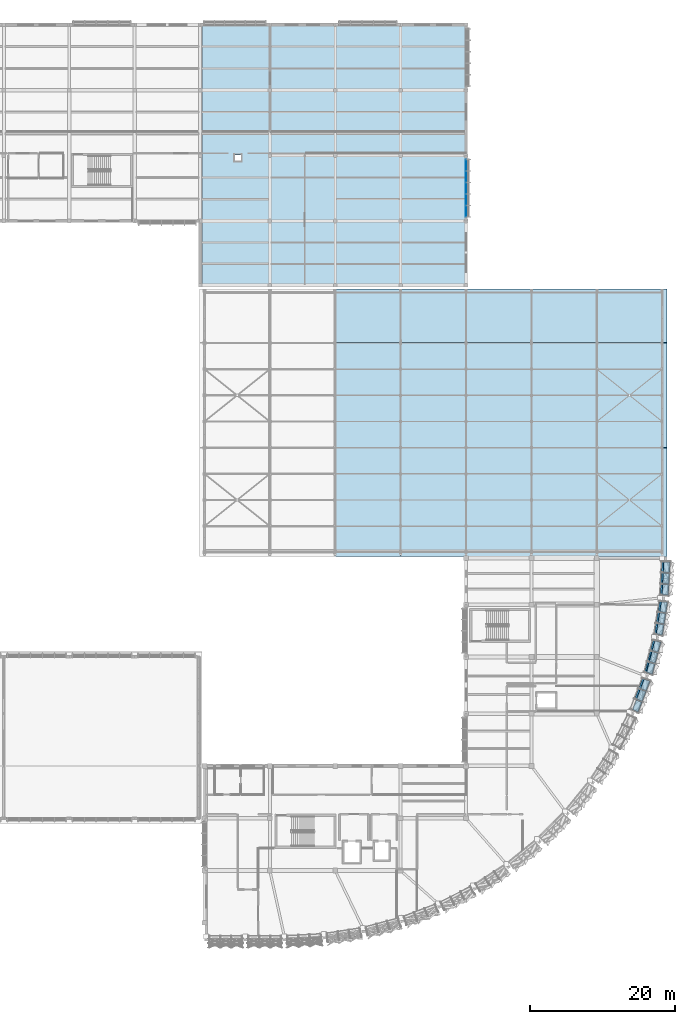
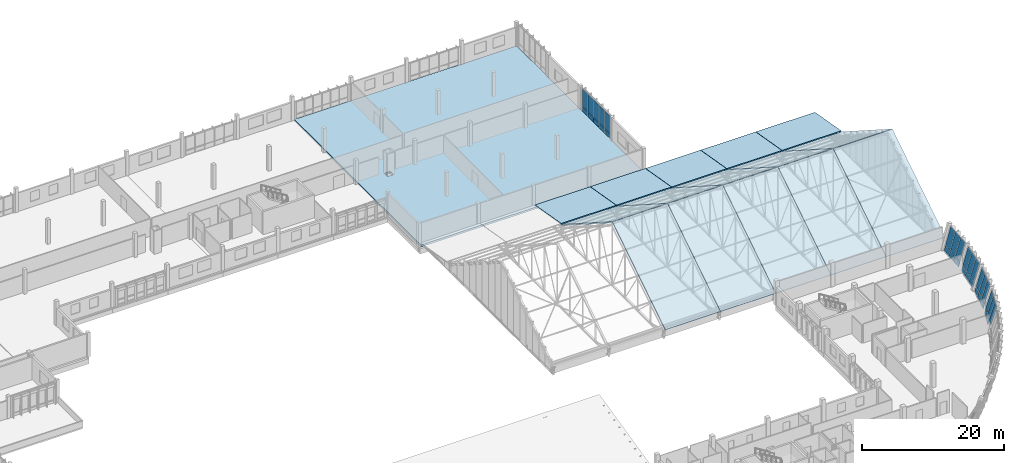
# One storey, part 154 of 182: 33 plates, 16 slabs, 5 elements without a shape of their own.
"""IFC4 building model written with IfcOpenShell, lengths in metres."""

import ifcopenshell
import ifcopenshell.guid

model = None  # the IFC model being written
_history = None  # IfcOwnerHistory: only IFC2X3 demands one
_inside = {}  # id of a spatial element -> (the spatial element, [elements in it])
_under = {}  # id of a project, library or spatial element -> (it, [spatial elements below it])
_declared = {}  # id of a project -> (the project, [libraries it declares])
_typed = {}  # id of a type object -> (the type object, [elements of that type])
_made_of = {}  # id of a material, layer set ... -> (it, [elements and type objects made of it])


def new_model(schema):
    """Start an empty IFC model of exactly this schema.

    Asked for "IFC4X3", IfcOpenShell would pick the latest addendum, in which some entities
    have other attributes; the version numbers below select the first issue.
    IFC2X3 requires an IfcOwnerHistory on every rooted entity: one is made here for all.
    """
    global model, _history
    if schema == "IFC4X3":
        model = ifcopenshell.file(schema_version=(4, 3, 0, 0))
    else:
        model = ifcopenshell.file(schema=schema)
    _inside.clear()
    _under.clear()
    _declared.clear()
    _typed.clear()
    _made_of.clear()
    _history = None
    if model.schema == "IFC2X3":
        org = make("IfcOrganization", Name="unknown")
        user = make(
            "IfcPersonAndOrganization",
            ThePerson=make("IfcPerson", FamilyName="unknown"),
            TheOrganization=org,
        )
        app = make(
            "IfcApplication",
            ApplicationDeveloper=org,
            Version="unknown",
            ApplicationFullName="unknown",
            ApplicationIdentifier="unknown",
        )
        _history = make(
            "IfcOwnerHistory",
            OwningUser=user,
            OwningApplication=app,
            ChangeAction="ADDED",
            CreationDate=0,
        )
    return model


def make(cls, **values):
    """One entity of the class cls with the attributes given. An attribute that is None is left unset."""
    return model.create_entity(
        cls, **{name: value for name, value in values.items() if value is not None}
    )


def rooted(cls, **values):
    """An entity with a GlobalId (a new one), such as an element, a storey or a relation."""
    return make(cls, GlobalId=ifcopenshell.guid.new(), OwnerHistory=_history, **values)


def si_unit(unit_type, name, prefix=None):
    """IfcSIUnit, for example si_unit("LENGTHUNIT", "METRE", prefix="MILLI")."""
    return make("IfcSIUnit", UnitType=unit_type, Prefix=prefix, Name=name)


def assignment(units):
    """IfcUnitAssignment: the units of a project."""
    return None if units is None else make("IfcUnitAssignment", Units=units)


def point(xyz):
    """IfcCartesianPoint."""
    return None if xyz is None else make("IfcCartesianPoint", Coordinates=xyz)


def direction(xyz):
    """IfcDirection."""
    return None if xyz is None else make("IfcDirection", DirectionRatios=xyz)


def frame(location, z_axis=None, x_axis=None):
    """IfcAxis2Placement3D, a coordinate frame: its origin and axes. An axis left out is left unset."""
    return make(
        "IfcAxis2Placement3D",
        Location=point(location),
        Axis=direction(z_axis),
        RefDirection=direction(x_axis),
    )


def frame_2d(location, x_axis=None):
    """IfcAxis2Placement2D, a coordinate frame in the plane: its origin and x axis."""
    return make(
        "IfcAxis2Placement2D", Location=point(location), RefDirection=direction(x_axis)
    )


def origin():
    """The frame at (0, 0, 0) with its axes left unset."""
    return frame((0.0, 0.0, 0.0))


def origin_2d():
    """The frame at (0, 0) in the plane with its x axis left unset."""
    return frame_2d((0.0, 0.0))


def place(relative_to, where):
    """IfcLocalPlacement: puts the frame where relative to a parent placement (None: the world)."""
    return make(
        "IfcLocalPlacement", PlacementRelTo=relative_to, RelativePlacement=where
    )


def context(
    kind, dimensions, precision=None, world=None, true_north=None, identifier=None
):
    """IfcGeometricRepresentationContext, for example the 3D "Model" context."""
    return make(
        "IfcGeometricRepresentationContext",
        ContextIdentifier=identifier,
        ContextType=kind,
        CoordinateSpaceDimension=dimensions,
        Precision=precision,
        WorldCoordinateSystem=world,
        TrueNorth=true_north,
    )


def subcontext(parent, identifier, kind, view, scale=None):
    """IfcGeometricRepresentationSubContext, for example "Body" below "Model"."""
    return make(
        "IfcGeometricRepresentationSubContext",
        ContextIdentifier=identifier,
        ContextType=kind,
        ParentContext=parent,
        TargetScale=scale,
        TargetView=view,
    )


def project(units=None, contexts=None):
    """IfcProject with its units and contexts."""
    return rooted(
        "IfcProject",
        Name="project",
        RepresentationContexts=contexts,
        UnitsInContext=assignment(units),
    )


def spatial(cls, under=None, at=None, **own):
    """A site, building, storey or space (cls), placed at a placement, below another one or the project."""
    s = rooted(cls, ObjectPlacement=at, **own)
    if under is not None:
        _under.setdefault(under.id(), (under, []))[1].append(s)
    return s


def polyline(points):
    """IfcPolyline through the points."""
    return make("IfcPolyline", Points=[point(p) for p in points])


def profile(cls, at=None, kind="AREA", **sizes):
    """A parametric profile (cls). Its sizes go by their IFC names, for example OverallWidth=200.0."""
    return make(cls, ProfileType=kind, Position=at, **sizes)


def rectangle(**sizes):
    """IfcRectangleProfileDef."""
    return profile("IfcRectangleProfileDef", **sizes)


def outline(outer, holes=None, kind="AREA"):
    """IfcArbitraryClosedProfileDef: a profile drawn as a closed curve; with holes, ...WithVoids."""
    if holes is None:
        return make("IfcArbitraryClosedProfileDef", ProfileType=kind, OuterCurve=outer)
    return make(
        "IfcArbitraryProfileDefWithVoids",
        ProfileType=kind,
        OuterCurve=outer,
        InnerCurves=holes,
    )


def extrude(swept, where, along, depth):
    """IfcExtrudedAreaSolid: the profile swept, set in the frame where, extruded along a direction by depth."""
    return make(
        "IfcExtrudedAreaSolid",
        SweptArea=swept,
        Position=where,
        ExtrudedDirection=direction(along),
        Depth=depth,
    )


def shape(context_of_items, identifier, shape_type, items):
    """IfcShapeRepresentation: the items that make up one representation, for example the "Body"."""
    return make(
        "IfcShapeRepresentation",
        ContextOfItems=context_of_items,
        RepresentationIdentifier=identifier,
        RepresentationType=shape_type,
        Items=items,
    )


def material(Name=None, Category=None):
    """IfcMaterial."""
    return make("IfcMaterial", Name=Name, Category=Category)


def layer(
    of_material, thickness, ventilated=None, Name=None, Category=None, Priority=None
):
    """IfcMaterialLayer: one layer of a wall or slab, of a material (None: an air gap)."""
    return make(
        "IfcMaterialLayer",
        Material=of_material,
        LayerThickness=thickness,
        IsVentilated=ventilated,
        Name=Name,
        Category=Category,
        Priority=Priority,
    )


def layer_set(layers, Name=None):
    """IfcMaterialLayerSet."""
    return make("IfcMaterialLayerSet", MaterialLayers=layers, LayerSetName=Name)


def made_of(thing, what):
    """Note that an element or type object is made of a material, layer set ...; save() writes the relation."""
    if what is not None:
        _made_of.setdefault(what.id(), (what, []))[1].append(thing)
    return thing


def type_object(cls, material=None, **own):
    """A type object (cls), such as IfcWallType, which elements share."""
    return made_of(rooted(cls, **own), material)


def element(
    cls,
    number,
    at=None,
    inside=None,
    cuts=None,
    type_object=None,
    material=None,
    context=None,
    identifier="Body",
    shape_type=None,
    held_by="IfcProductDefinitionShape",
    body=None,
    shapes=None,
    **own,
):
    """One element of the class cls, such as IfcWall. Its Tag is "e" and its number.

    at: its placement. inside: the storey or other place that contains it. cuts: it is an
    opening in that element (IfcRelVoidsElement). A single representation is given by context,
    identifier, shape_type and body (its items); several are given by shapes. held_by: the class
    of the entity that holds the representations. save() writes the other relations.
    """
    e = rooted(cls, Tag="e%d" % number, ObjectPlacement=at, **own)
    if body is not None:
        shapes = [shape(context, identifier, shape_type, body)]
    if shapes is not None:
        e.Representation = make(held_by, Representations=shapes)
    if inside is not None:
        _inside.setdefault(inside.id(), (inside, []))[1].append(e)
    if cuts is not None:
        rooted(
            "IfcRelVoidsElement", RelatingBuildingElement=cuts, RelatedOpeningElement=e
        )
    if type_object is not None:
        _typed.setdefault(type_object.id(), (type_object, []))[1].append(e)
    return made_of(e, material)


def aggregate(whole, parts):
    """IfcRelAggregates: a whole, such as a stair, and the parts it consists of."""
    return rooted("IfcRelAggregates", RelatingObject=whole, RelatedObjects=parts)


def save(model, path):
    """Write the relations noted so far, then the file.

    IfcRelAggregates (storeys below a building ...), IfcRelContainedInSpatialStructure (elements
    in a storey), IfcRelDefinesByType, IfcRelAssociatesMaterial and IfcRelDeclares: one each for
    every whole, place, type object, material and project.
    """
    for whole, parts in _under.values():
        aggregate(whole, parts)
    for where, things in _inside.values():
        rooted(
            "IfcRelContainedInSpatialStructure",
            RelatedElements=things,
            RelatingStructure=where,
        )
    for kind, things in _typed.values():
        rooted("IfcRelDefinesByType", RelatedObjects=things, RelatingType=kind)
    for what, things in _made_of.values():
        rooted("IfcRelAssociatesMaterial", RelatedObjects=things, RelatingMaterial=what)
    for by, libraries in _declared.values():
        rooted("IfcRelDeclares", RelatingContext=by, RelatedDefinitions=libraries)
    model.write(path)


model = new_model("IFC4")

# Units and contexts
model_context = context("Model", 3, precision=1e-05, world=origin(), true_north=direction((0.0, 1.0)))
body_context = subcontext(model_context, "Body", "Model", "MODEL_VIEW")
ifc_project = project(units=[si_unit("LENGTHUNIT", "METRE"), si_unit("AREAUNIT", "SQUARE_METRE"), si_unit("VOLUMEUNIT", "CUBIC_METRE"), si_unit("PLANEANGLEUNIT", "RADIAN"), si_unit("MASSUNIT", "GRAM", prefix="KILO")], contexts=[model_context])

# Site, building, storey
site_placement = place(None, origin())
site = spatial("IfcSite", under=ifc_project, at=site_placement, CompositionType="ELEMENT")
building_placement = place(site_placement, origin())
building = spatial("IfcBuilding", under=site, at=building_placement, Name="Chiffa Square Polytechnic", CompositionType="ELEMENT")
storey_placement = place(building_placement, frame((0.0, 0.0, 9.60009765625)))
storey = spatial("IfcBuildingStorey", under=building, at=storey_placement, Name="L02", CompositionType="ELEMENT", Elevation=9.60009765625)

# Curtain wall, plates
ifc_material_1 = material(Name="Aluminium EN AW-6060 T66 and glulam shading", Category="wood")
curtain_wall_type_1 = type_object("IfcCurtainWallType", Name="CW-PROW-LEAN-300", PredefinedType="USERDEFINED", material=ifc_material_1)
curtain_wall_1_placement = place(storey_placement, origin())
curtain_wall_1 = element("IfcCurtainWall", 1, at=curtain_wall_1_placement, inside=storey, type_object=curtain_wall_type_1, Name="Outward-leaning diamond-fin prow curtain wall CW-V1-L02-040", ObjectType="CURTAIN WALL", PredefinedType="USERDEFINED")
ifc_material_2 = material(Name="Double glazing", Category="glass")
ifc_layer_1 = layer(ifc_material_2, 0.035888671875, Name="Double glazing")
ifc_layer_set_1 = layer_set([ifc_layer_1], Name="Double glazing")
plate_type_1 = type_object("IfcPlateType", Name="CWP-GLZ-120X145", PredefinedType="CURTAIN_PANEL", material=ifc_layer_set_1)
plate_1_placement = place(storey_placement, frame((171.10498046875, 36.551513671875, 0.8779296875), z_axis=(-0.898409684419, 0.344776546164, 0.272009507476), x_axis=(0.358289619089, 0.933610490864, 1.4202129e-05)))
plate_1 = element("IfcPlate", 2, at=plate_1_placement, type_object=plate_type_1, Name="Leaning prow curtain panel CW-V1-L02-040-PN01", PredefinedType="CURTAIN_PANEL", context=body_context, shape_type="SweptSolid", body=[
    extrude(outline(polyline([(0.0, 0.0), (1.4259956492760706, 0.0), (1.4096857913431777, -3.1352871942841767), (-0.043969598361395315, -3.135329693927445), (0.0, 0.0)])), origin(), (0.0, 0.0, -1.0), 0.035888671875),
])
plate_2_placement = place(storey_placement, frame((171.655517578125, 37.986083984375, 0.8779296875), z_axis=(-0.898386562776, 0.344880574049, 0.271953991451), x_axis=(0.35839958804, 0.933568279992, 4.3425295e-05)))
plate_2 = element("IfcPlate", 3, at=plate_2_placement, type_object=plate_type_1, Name="Leaning prow curtain panel CW-V1-L02-040-PN02", PredefinedType="CURTAIN_PANEL", context=body_context, shape_type="SweptSolid", body=[
    extrude(outline(polyline([(0.0, 0.0), (1.4258552245780038, -2.7755575615628914e-17), (1.4399354245614526, -3.1351919010392213), (-0.01371994403332145, -3.1353218420798497), (0.0, 0.0)])), origin(), (0.0, 0.0, -1.0), 0.035888671875),
])
plate_3_placement = place(storey_placement, frame((172.206298828125, 39.42041015625, 0.8779296875), z_axis=(-0.898427749049, 0.344833750589, 0.271877296207), x_axis=(0.358331783037, 0.933594308714, 1.435371e-06)))
plate_3 = element("IfcPlate", 4, at=plate_3_placement, type_object=plate_type_1, Name="Leaning prow curtain panel CW-V1-L02-040-PN03", PredefinedType="CURTAIN_PANEL", context=body_context, shape_type="SweptSolid", body=[
    extrude(outline(polyline([(0.0, 0.0), (1.4259956511998872, -5.551115123125783e-17), (1.469948275416196, -3.135184079738381), (0.015977479163347057, -3.1351883753661887), (0.0, 0.0)])), origin(), (0.0, 0.0, -1.0), 0.035888671875),
])

curtain_wall_type_2 = type_object("IfcCurtainWallType", Name="CW-VERT-540X440", PredefinedType="USERDEFINED", material=ifc_material_1)
curtain_wall_2_placement = place(storey_placement, origin())
curtain_wall_2 = element("IfcCurtainWall", 5, at=curtain_wall_2_placement, inside=storey, type_object=curtain_wall_type_2, Name="Curtain wall CW-V5-L02-215", ObjectType="CURTAIN WALL", PredefinedType="USERDEFINED")
ifc_layer_2 = layer(ifc_material_2, 0.0419921875, Name="Double glazing")
ifc_layer_set_2 = layer_set([ifc_layer_2], Name="Double glazing")
plate_type_2 = type_object("IfcPlateType", Name="CWP-GLZ-136X122", PredefinedType="CURTAIN_PANEL", material=ifc_layer_set_2)
plate_4_placement = place(storey_placement, frame((148.199951171875, 105.14306640625, 0.83984375), z_axis=(0.0, 0.0, 1.0), x_axis=(0.0, 1.0, 0.0)))
plate_4 = element("IfcPlate", 6, at=plate_4_placement, type_object=plate_type_2, Name="Glazed curtain panel CW-V5-L02-215-PN01", PredefinedType="CURTAIN_PANEL", context=body_context, shape_type="SweptSolid", body=[
    extrude(rectangle(XDim=1.510009765625, YDim=0.0419921875, at=origin_2d()), origin(), (0.0, 0.0, 1.0), 3.050048828125),
])
plate_5_placement = place(storey_placement, frame((148.199951171875, 106.716064453125, 0.83984375), z_axis=(0.0, 0.0, 1.0), x_axis=(0.0, 1.0, 0.0)))
plate_5 = element("IfcPlate", 7, at=plate_5_placement, type_object=plate_type_2, Name="Glazed curtain panel CW-V5-L02-215-PN02", PredefinedType="CURTAIN_PANEL", context=body_context, shape_type="SweptSolid", body=[
    extrude(rectangle(XDim=1.531982421875, YDim=0.0419921875, at=origin_2d()), origin(), (0.0, 0.0, 1.0), 3.050048828125),
])
plate_6_placement = place(storey_placement, frame((148.199951171875, 108.300048828125, 0.83984375), z_axis=(0.0, 0.0, 1.0), x_axis=(0.0, 1.0, 0.0)))
plate_6 = element("IfcPlate", 8, at=plate_6_placement, type_object=plate_type_2, Name="Glazed curtain panel CW-V5-L02-215-PN03", PredefinedType="CURTAIN_PANEL", context=body_context, shape_type="SweptSolid", body=[
    extrude(rectangle(XDim=1.531982421875, YDim=0.0419921875, at=origin_2d()), origin(), (0.0, 0.0, 1.0), 3.050048828125),
])
plate_7_placement = place(storey_placement, frame((148.199951171875, 109.884033203125, 0.83984375), z_axis=(0.0, 0.0, 1.0), x_axis=(0.0, 1.0, 0.0)))
plate_7 = element("IfcPlate", 9, at=plate_7_placement, type_object=plate_type_2, Name="Glazed curtain panel CW-V5-L02-215-PN04", PredefinedType="CURTAIN_PANEL", context=body_context, shape_type="SweptSolid", body=[
    extrude(rectangle(XDim=1.531982421875, YDim=0.0419921875, at=origin_2d()), origin(), (0.0, 0.0, 1.0), 3.050048828125),
])
plate_8_placement = place(storey_placement, frame((148.199951171875, 111.45703125, 0.83984375), z_axis=(0.0, 0.0, 1.0), x_axis=(0.0, 1.0, 0.0)))
plate_8 = element("IfcPlate", 10, at=plate_8_placement, type_object=plate_type_2, Name="Glazed curtain panel CW-V5-L02-215-PN05", PredefinedType="CURTAIN_PANEL", context=body_context, shape_type="SweptSolid", body=[
    extrude(rectangle(XDim=1.510009765625, YDim=0.0419921875, at=origin_2d()), origin(), (0.0, 0.0, 1.0), 3.050048828125),
])

curtain_wall_type_3 = type_object("IfcCurtainWallType", Name="CW-PROW-LEAN-150", PredefinedType="USERDEFINED", material=ifc_material_1)
curtain_wall_3_placement = place(storey_placement, origin())
curtain_wall_3 = element("IfcCurtainWall", 11, at=curtain_wall_3_placement, inside=storey, type_object=curtain_wall_type_3, Name="Outward-leaning diamond-fin prow curtain wall CW-V1-L02-043", ObjectType="CURTAIN WALL", PredefinedType="USERDEFINED")
ifc_layer_3 = layer(ifc_material_2, 0.0380859375, Name="Double glazing")
ifc_layer_set_3 = layer_set([ifc_layer_3], Name="Double glazing")
plate_type_3 = type_object("IfcPlateType", Name="CWP-GLZ-146X138", PredefinedType="CURTAIN_PANEL", material=ifc_layer_set_3)
plate_9_placement = place(storey_placement, frame((175.18798828125, 52.373291015625, 0.8779296875), z_axis=(-0.960994525585, 0.050183547018, 0.271976347142), x_axis=(0.052155063173, 0.998638998327, 2.0160075e-05)))
plate_9 = element("IfcPlate", 12, at=plate_9_placement, type_object=plate_type_3, Name="Leaning prow curtain panel CW-V1-L02-043-PN01", PredefinedType="CURTAIN_PANEL", context=body_context, shape_type="SweptSolid", body=[
    extrude(outline(polyline([(0.0, 0.0), (1.4257739093040007, 0.0), (1.409245010066698, -3.1352479386726952), (-0.04414290854559953, -3.1353082565383597), (0.0, 0.0)])), origin(), (0.0, 0.0, -1.0), 0.0380859375),
])
plate_10_placement = place(storey_placement, frame((175.26806640625, 53.907470703125, 0.8779296875), z_axis=(-0.961003877433, 0.050179774548, 0.271943997515), x_axis=(0.052150972719, 0.998639211923, 2.1314999e-05)))
plate_10 = element("IfcPlate", 13, at=plate_10_placement, type_object=plate_type_3, Name="Leaning prow curtain panel CW-V1-L02-043-PN02", PredefinedType="CURTAIN_PANEL", context=body_context, shape_type="SweptSolid", body=[
    extrude(outline(polyline([(0.0, 0.0), (1.4257739088413242, 3.469446951953614e-18), (1.439553636586601, -3.135215789868901), (-0.01407809086380819, -3.135279567998635), (0.0, 0.0)])), origin(), (0.0, 0.0, -1.0), 0.0380859375),
])
plate_11_placement = place(storey_placement, frame((175.34814453125, 55.44189453125, 0.8779296875), z_axis=(-0.960991080375, 0.050179106336, 0.271989339364), x_axis=(0.052150974725, 0.998639211818, 2.1318269e-05)))
plate_11 = element("IfcPlate", 14, at=plate_11_placement, type_object=plate_type_3, Name="Leaning prow curtain panel CW-V1-L02-043-PN03", PredefinedType="CURTAIN_PANEL", context=body_context, shape_type="SweptSolid", body=[
    extrude(outline(polyline([(0.0, 0.0), (1.4257739088414405, -3.469446951953614e-18), (1.469387398327452, -3.1352568742258393), (0.015755670877394816, -3.1353206629894474), (0.0, 0.0)])), origin(), (0.0, 0.0, -1.0), 0.0380859375),
])

curtain_wall_4_placement = place(storey_placement, origin())
curtain_wall_4 = element("IfcCurtainWall", 15, at=curtain_wall_4_placement, inside=storey, type_object=curtain_wall_type_1, Name="Outward-leaning diamond-fin prow curtain wall CW-V1-L02-042", ObjectType="CURTAIN WALL", PredefinedType="USERDEFINED")
ifc_layer_4 = layer(ifc_material_2, 0.0380859375, Name="Double glazing")
ifc_layer_set_4 = layer_set([ifc_layer_4], Name="Double glazing")
plate_type_4 = type_object("IfcPlateType", Name="CWP-GLZ-148X142", PredefinedType="CURTAIN_PANEL", material=ifc_layer_set_4)
plate_12_placement = place(storey_placement, frame((174.382568359375, 46.966796875, 0.8779296875), z_axis=(-0.950467925197, 0.150726732879, 0.271831151945), x_axis=(0.156615807893, 0.987659601159, -3.0912197e-05)))
plate_12 = element("IfcPlate", 16, at=plate_12_placement, type_object=plate_type_4, Name="Leaning prow curtain panel CW-V1-L02-042-PN01", PredefinedType="CURTAIN_PANEL", context=body_context, shape_type="SweptSolid", body=[
    extrude(outline(polyline([(0.0, 0.0), (1.4257732978276254, 0.0), (1.4095661344223172, -3.1351890839020786), (-0.0436988421354514, -3.135096604175251), (0.0, 0.0)])), origin(), (0.0, 0.0, -1.0), 0.0380859375),
])
plate_13_placement = place(storey_placement, frame((174.623046875, 48.484130859375, 0.8779296875), z_axis=(-0.950470777794, 0.150658514152, 0.271858994099), x_axis=(0.156553298752, 0.987669511841, -5.464213e-06)))
plate_13 = element("IfcPlate", 17, at=plate_13_placement, type_object=plate_type_4, Name="Leaning prow curtain panel CW-V1-L02-042-PN02", PredefinedType="CURTAIN_PANEL", context=body_context, shape_type="SweptSolid", body=[
    extrude(outline(polyline([(0.0, 0.0), (1.4255321752552987, 0.0), (1.4392508023868875, -3.135177599512425), (-0.013975939446466598, -3.135161253731587), (0.0, 0.0)])), origin(), (0.0, 0.0, -1.0), 0.0380859375),
])
plate_14_placement = place(storey_placement, frame((174.86328125, 50.001220703125, 0.8779296875), z_axis=(-0.950431049976, 0.150665153994, 0.271994173859), x_axis=(0.156565441428, 0.98766758703, -8.942132e-06)))
plate_14 = element("IfcPlate", 18, at=plate_14_placement, type_object=plate_type_4, Name="Leaning prow curtain panel CW-V1-L02-042-PN03", PredefinedType="CURTAIN_PANEL", context=body_context, shape_type="SweptSolid", body=[
    extrude(outline(polyline([(0.0, 0.0), (1.4255321747728587, -6.938893903907228e-18), (1.4689890653084439, -3.1353075282164395), (0.016003453009686454, -3.135280779681559), (0.0, 0.0)])), origin(), (0.0, 0.0, -1.0), 0.0380859375),
])

curtain_wall_5_placement = place(storey_placement, origin())
curtain_wall_5 = element("IfcCurtainWall", 19, at=curtain_wall_5_placement, inside=storey, type_object=curtain_wall_type_3, Name="Outward-leaning diamond-fin prow curtain wall CW-V1-L02-041", ObjectType="CURTAIN WALL", PredefinedType="USERDEFINED")
ifc_layer_5 = layer(ifc_material_2, 0.035888671875, Name="Double glazing")
ifc_layer_set_5 = layer_set([ifc_layer_5], Name="Double glazing")
plate_type_5 = type_object("IfcPlateType", Name="CWP-GLZ-180X140", PredefinedType="CURTAIN_PANEL", material=ifc_layer_set_5)
plate_15_placement = place(storey_placement, frame((173.0166015625, 41.6728515625, 0.8779296875), z_axis=(-0.929547285603, 0.249092237597, 0.271836165725), x_axis=(0.258840437249, 0.965920094016, 4.518495e-06)))
plate_15 = element("IfcPlate", 20, at=plate_15_placement, type_object=plate_type_5, Name="Leaning prow curtain panel CW-V1-L02-041-PN01", PredefinedType="CURTAIN_PANEL", context=body_context, shape_type="SweptSolid", body=[
    extrude(outline(polyline([(0.0, 0.0), (1.4260468534082225, 2.7755575615628914e-17), (1.41027212091726, -3.135141796812435), (-0.043311759572991285, -3.135155317553838), (0.0, 0.0)])), origin(), (0.0, 0.0, -1.0), 0.035888671875),
])
plate_16_placement = place(storey_placement, frame((173.414306640625, 43.156982421875, 0.8779296875), z_axis=(-0.929518276204, 0.24924763748, 0.271792916414), x_axis=(0.2589987426, 0.965877658561, 4.931217e-06)))
plate_16 = element("IfcPlate", 21, at=plate_16_placement, type_object=plate_type_5, Name="Leaning prow curtain panel CW-V1-L02-041-PN02", PredefinedType="CURTAIN_PANEL", context=body_context, shape_type="SweptSolid", body=[
    extrude(outline(polyline([(0.0, 0.0), (1.426110070106208, -1.3877787807814457e-17), (1.4402620300585096, -3.135101242229231), (-0.013385058680156674, -3.135115998422758), (0.0, 0.0)])), origin(), (0.0, 0.0, -1.0), 0.035888671875),
])
plate_17_placement = place(storey_placement, frame((173.812255859375, 44.641357421875, 0.8779296875), z_axis=(-0.929498396372, 0.249264185474, 0.271845722757), x_axis=(0.259018385497, 0.965872391144, -8.12591e-07)))
plate_17 = element("IfcPlate", 22, at=plate_17_placement, type_object=plate_type_5, Name="Leaning prow curtain panel CW-V1-L02-041-PN03", PredefinedType="CURTAIN_PANEL", context=body_context, shape_type="SweptSolid", body=[
    extrude(outline(polyline([(0.0, 0.0), (1.4261100703345595, -1.3877787807814457e-17), (1.4696394183116974, -3.135158454419326), (0.016228139133645497, -3.1351560229805693), (0.0, 0.0)])), origin(), (0.0, 0.0, -1.0), 0.035888671875),
])

# Plate
ifc_material_3 = material(Name="Aluminium insulated spandrel", Category="aluminium")
ifc_layer_6 = layer(ifc_material_3, 0.068115234375, Name="Aluminium insulated spandrel")
ifc_layer_set_6 = layer_set([ifc_layer_6], Name="Aluminium insulated spandrel")
plate_type_6 = type_object("IfcPlateType", Name="CWP-SPN-140X076", PredefinedType="SHEET", material=ifc_layer_set_6)
plate_18_placement = place(storey_placement, frame((174.954833984375, 52.3974609375, 0.0498046875), z_axis=(-0.960962764568, 0.050150838113, 0.272094576479), x_axis=(0.05212045618, 0.998640805252, 1.1555925e-05)))
plate_18 = element("IfcPlate", 23, at=plate_18_placement, type_object=plate_type_6, Name="Leaning prow curtain panel CW-V1-L02-043-SP01", PredefinedType="SHEET", context=body_context, shape_type="SweptSolid", body=[
    extrude(outline(polyline([(0.0, 0.0), (1.4181903831758986, -3.469446951953614e-18), (1.4139459951796018, -0.8024775221925078), (-0.011327567637040035, -0.8025116694049664), (0.0, 0.0)])), origin(), (0.0, 0.0, -1.0), 0.068115234375),
])

plate_19_placement = place(storey_placement, frame((175.03466796875, 53.923583984375, 0.0498046875), z_axis=(-0.961051359106, 0.050238090133, 0.271765375755), x_axis=(0.052199750719, 0.99863666361, -1.0881971e-05)))
plate_19 = element("IfcPlate", 24, at=plate_19_placement, type_object=plate_type_6, Name="Leaning prow curtain panel CW-V1-L02-043-SP02", PredefinedType="SHEET", context=body_context, shape_type="SweptSolid", body=[
    extrude(outline(polyline([(0.0, 0.0), (1.4181903833179854, -6.938893903907228e-18), (1.4217605943728924, -0.8024330073419834), (-0.003525702701473163, -0.8024008545943465), (0.0, 0.0)])), origin(), (0.0, 0.0, -1.0), 0.068115234375),
])

plate_20_placement = place(storey_placement, frame((175.1142578125, 55.44970703125, 0.0498046875), z_axis=(-0.960983769439, 0.050147622769, 0.272020974937), x_axis=(0.052115653293, 0.998641055923, 1.0374178e-05)))
plate_20 = element("IfcPlate", 25, at=plate_20_placement, type_object=plate_type_6, Name="Leaning prow curtain panel CW-V1-L02-043-SP03", PredefinedType="SHEET", context=body_context, shape_type="SweptSolid", body=[
    extrude(outline(polyline([(0.0, 0.0), (1.4184341917506706, 0.0), (1.4293421607715378, -0.8024617396868194), (0.004068597629478883, -0.8024923968580026), (0.0, 0.0)])), origin(), (0.0, 0.0, -1.0), 0.068115234375),
])

aggregate(curtain_wall_3, [plate_18, plate_9, plate_19, plate_10, plate_20, plate_11])

ifc_layer_7 = layer(ifc_material_3, 0.06591796875, Name="Aluminium insulated spandrel")
ifc_layer_set_7 = layer_set([ifc_layer_7], Name="Aluminium insulated spandrel")
plate_type_7 = type_object("IfcPlateType", Name="CWP-SPN-144X078", PredefinedType="SHEET", material=ifc_layer_set_7)
plate_21_placement = place(storey_placement, frame((174.1533203125, 47.015380859375, 0.0498046875), z_axis=(-0.950454493653, 0.150558866931, 0.271971107073), x_axis=(0.156459130993, 0.987684433529, 9.688266e-06)))
plate_21 = element("IfcPlate", 26, at=plate_21_placement, type_object=plate_type_7, Name="Leaning prow curtain panel CW-V1-L02-042-SP01", PredefinedType="SHEET", context=body_context, shape_type="SweptSolid", body=[
    extrude(outline(polyline([(0.0, 0.0), (1.418107164362111, -6.938893903907228e-18), (1.4138708907282609, -0.8024511602663487), (-0.011140814811285772, -0.8024797841228883), (0.0, 0.0)])), origin(), (0.0, 0.0, -1.0), 0.06591796875),
])

plate_22_placement = place(storey_placement, frame((174.392578125, 48.5244140625, 0.0498046875), z_axis=(-0.950525199507, 0.150570067249, 0.271717684281), x_axis=(0.156459125956, 0.987684434327, 9.679959e-06)))
plate_22 = element("IfcPlate", 27, at=plate_22_placement, type_object=plate_type_7, Name="Leaning prow curtain panel CW-V1-L02-042-SP02", PredefinedType="SHEET", context=body_context, shape_type="SweptSolid", body=[
    extrude(outline(polyline([(0.0, 0.0), (1.4181071643619774, 6.938893903907228e-18), (1.4214988260633374, -0.802391404541795), (-0.0035128794766118025, -0.8024200017266131), (0.0, 0.0)])), origin(), (0.0, 0.0, -1.0), 0.06591796875),
])

plate_23_placement = place(storey_placement, frame((174.631591796875, 50.03369140625, 0.0498046875), z_axis=(-0.950458732209, 0.150655270743, 0.271902901354), x_axis=(0.156550967102, 0.987669881397, -8.972575e-06)))
plate_23 = element("IfcPlate", 28, at=plate_23_placement, type_object=plate_type_7, Name="Leaning prow curtain panel CW-V1-L02-042-SP03", PredefinedType="SHEET", context=body_context, shape_type="SweptSolid", body=[
    extrude(outline(polyline([(0.0, 0.0), (1.417866032419279, 0.0), (1.4289679224906786, -0.8024626460273746), (0.003918007894635396, -0.8024361390934094), (0.0, 0.0)])), origin(), (0.0, 0.0, -1.0), 0.06591796875),
])

aggregate(curtain_wall_4, [plate_21, plate_12, plate_22, plate_13, plate_23, plate_14])

ifc_layer_8 = layer(ifc_material_3, 0.06396484375, Name="Aluminium insulated spandrel")
ifc_layer_set_8 = layer_set([ifc_layer_8], Name="Aluminium insulated spandrel")
plate_type_8 = type_object("IfcPlateType", Name="CWP-SPN-146X082", PredefinedType="SHEET", material=ifc_layer_set_8)
plate_24_placement = place(storey_placement, frame((172.793701171875, 41.744873046875, 0.0498046875), z_axis=(-0.929529913479, 0.249130206972, 0.271860773047), x_axis=(0.258879179482, 0.965909711312, -4.947348e-06)))
plate_24 = element("IfcPlate", 29, at=plate_24_placement, type_object=plate_type_8, Name="Leaning prow curtain panel CW-V1-L02-041-SP01", PredefinedType="SHEET", context=body_context, shape_type="SweptSolid", body=[
    extrude(outline(polyline([(0.0, 0.0), (1.4184666957573693, -2.7755575615628914e-17), (1.4145071908790643, -0.8024466696891978), (-0.01130384449351369, -0.8024320473290018), (0.0, 0.0)])), origin(), (0.0, 0.0, -1.0), 0.06396484375),
])

plate_25_placement = place(storey_placement, frame((173.189453125, 43.22119140625, 0.0498046875), z_axis=(-0.929553794452, 0.249241361346, 0.27167717426), x_axis=(0.258985088976, 0.965881319607, 1.1032088e-05)))
plate_25 = element("IfcPlate", 30, at=plate_25_placement, type_object=plate_type_8, Name="Leaning prow curtain panel CW-V1-L02-041-SP02", PredefinedType="SHEET", context=body_context, shape_type="SweptSolid", body=[
    extrude(outline(polyline([(0.0, 0.0), (1.4185299132190394, -2.7755575615628914e-17), (1.4221235985686602, -0.8023798648884579), (-0.0034516204540501944, -0.8024124675428498), (0.0, 0.0)])), origin(), (0.0, 0.0, -1.0), 0.06396484375),
])

plate_26_placement = place(storey_placement, frame((173.585205078125, 44.69775390625, 0.0498046875), z_axis=(-0.929540399426, 0.249155158609, 0.271802047038), x_axis=(0.25891092211, 0.965901202681, 3.2724549e-05)))
plate_26 = element("IfcPlate", 31, at=plate_26_placement, type_object=plate_type_8, Name="Leaning prow curtain panel CW-V1-L02-041-SP03", PredefinedType="SHEET", context=body_context, shape_type="SweptSolid", body=[
    extrude(outline(polyline([(0.0, 0.0), (1.41852990410723, 1.3877787807814457e-17), (1.4297037636709016, -0.8023769497718084), (0.0041917552649078016, -0.8024736606175049), (0.0, 0.0)])), origin(), (0.0, 0.0, -1.0), 0.06396484375),
])

aggregate(curtain_wall_5, [plate_24, plate_15, plate_25, plate_16, plate_26, plate_17])

ifc_layer_9 = layer(ifc_material_3, 0.06201171875, Name="Aluminium insulated spandrel")
ifc_layer_set_9 = layer_set([ifc_layer_9], Name="Aluminium insulated spandrel")
plate_type_9 = type_object("IfcPlateType", Name="CWP-SPN-148X084", PredefinedType="SHEET", material=ifc_layer_set_9)
plate_27_placement = place(storey_placement, frame((171.4384765625, 38.073486328125, 0.0498046875), z_axis=(-0.898362940507, 0.345034823835, 0.271836343162), x_axis=(0.358538088106, 0.933515098601, 7.774978e-06)))
plate_27 = element("IfcPlate", 32, at=plate_27_placement, type_object=plate_type_9, Name="Leaning prow curtain panel CW-V1-L02-040-SP02", PredefinedType="SHEET", context=body_context, shape_type="SweptSolid", body=[
    extrude(outline(polyline([(0.0, 0.0), (1.418283012021575, 2.7755575615628914e-17), (1.421761750524152, -0.8024221566165448), (-0.0035501405363142662, -0.8024451306258656), (0.0, 0.0)])), origin(), (0.0, 0.0, -1.0), 0.06201171875),
])

plate_28_placement = place(storey_placement, frame((171.986328125, 39.500244140625, 0.0498046875), z_axis=(-0.898389162138, 0.344930545515, 0.271882018758), x_axis=(0.358431101111, 0.933556182417, -5.247343e-06)))
plate_28 = element("IfcPlate", 33, at=plate_28_placement, type_object=plate_type_9, Name="Leaning prow curtain panel CW-V1-L02-040-SP03", PredefinedType="SHEET", context=body_context, shape_type="SweptSolid", body=[
    extrude(outline(polyline([(0.0, 0.0), (1.4181954906640541, 0.0), (1.429526840070757, -0.8024521975091569), (0.003987034167470783, -0.8024366913464214), (0.0, 0.0)])), origin(), (0.0, 0.0, -1.0), 0.06201171875),
])

aggregate(curtain_wall_1, [plate_1, plate_27, plate_2, plate_28, plate_3])

ifc_layer_10 = layer(ifc_material_3, 0.06005859375, Name="Aluminium insulated spandrel")
ifc_layer_set_10 = layer_set([ifc_layer_10], Name="Aluminium insulated spandrel")
plate_type_10 = type_object("IfcPlateType", Name="CWP-SPN-150X080", PredefinedType="SHEET", material=ifc_layer_set_10)
plate_29_placement = place(storey_placement, frame((148.199951171875, 105.14306640625, 0.0498046875), z_axis=(0.0, 0.0, 1.0), x_axis=(0.0, 1.0, 0.0)))
plate_29 = element("IfcPlate", 34, at=plate_29_placement, type_object=plate_type_10, Name="Spandrel panel CW-V5-L02-215-SP01", PredefinedType="SHEET", context=body_context, shape_type="SweptSolid", body=[
    extrude(rectangle(XDim=1.510009765625, YDim=0.06005859375, at=origin_2d()), origin(), (0.0, 0.0, 1.0), 0.75),
])

plate_30_placement = place(storey_placement, frame((148.199951171875, 106.716064453125, 0.0498046875), z_axis=(0.0, 0.0, 1.0), x_axis=(0.0, 1.0, 0.0)))
plate_30 = element("IfcPlate", 35, at=plate_30_placement, type_object=plate_type_10, Name="Spandrel panel CW-V5-L02-215-SP02", PredefinedType="SHEET", context=body_context, shape_type="SweptSolid", body=[
    extrude(rectangle(XDim=1.531982421875, YDim=0.06005859375, at=origin_2d()), origin(), (0.0, 0.0, 1.0), 0.75),
])

plate_31_placement = place(storey_placement, frame((148.199951171875, 108.300048828125, 0.0498046875), z_axis=(0.0, 0.0, 1.0), x_axis=(0.0, 1.0, 0.0)))
plate_31 = element("IfcPlate", 36, at=plate_31_placement, type_object=plate_type_10, Name="Spandrel panel CW-V5-L02-215-SP03", PredefinedType="SHEET", context=body_context, shape_type="SweptSolid", body=[
    extrude(rectangle(XDim=1.531982421875, YDim=0.06005859375, at=origin_2d()), origin(), (0.0, 0.0, 1.0), 0.75),
])

plate_32_placement = place(storey_placement, frame((148.199951171875, 109.884033203125, 0.0498046875), z_axis=(0.0, 0.0, 1.0), x_axis=(0.0, 1.0, 0.0)))
plate_32 = element("IfcPlate", 37, at=plate_32_placement, type_object=plate_type_10, Name="Spandrel panel CW-V5-L02-215-SP04", PredefinedType="SHEET", context=body_context, shape_type="SweptSolid", body=[
    extrude(rectangle(XDim=1.531982421875, YDim=0.06005859375, at=origin_2d()), origin(), (0.0, 0.0, 1.0), 0.75),
])

plate_33_placement = place(storey_placement, frame((148.199951171875, 111.45703125, 0.0498046875), z_axis=(0.0, 0.0, 1.0), x_axis=(0.0, 1.0, 0.0)))
plate_33 = element("IfcPlate", 38, at=plate_33_placement, type_object=plate_type_10, Name="Spandrel panel CW-V5-L02-215-SP05", PredefinedType="SHEET", context=body_context, shape_type="SweptSolid", body=[
    extrude(rectangle(XDim=1.510009765625, YDim=0.06005859375, at=origin_2d()), origin(), (0.0, 0.0, 1.0), 0.75),
])

aggregate(curtain_wall_2, [plate_29, plate_4, plate_30, plate_5, plate_31, plate_6, plate_32, plate_7, plate_33, plate_8])

# Slabs
ifc_material_4 = material(Name="Concrete C40/50", Category="concrete")
ifc_layer_11 = layer(ifc_material_4, 0.320068359375, Name="Concrete C40/50")
ifc_layer_set_11 = layer_set([ifc_layer_11], Name="Concrete C40/50")
slab_type_1 = type_object("IfcSlabType", Name="SLB-FLR-320", PredefinedType="FLOOR", material=ifc_layer_set_11)
slab_1_placement = place(storey_placement, frame((0.0, 0.0, -0.320068359375)))
element("IfcSlab", 39, at=slab_1_placement, inside=storey, type_object=slab_type_1, Name="V5 L02 structural slab SLB-V5-L02-037", PredefinedType="FLOOR", context=body_context, shape_type="SweptSolid", body=[
    extrude(outline(polyline([(148.199951171875, 130.800048828125), (148.199951171875, 95.050048828125), (111.949951171875, 95.050048828125), (111.949951171875, 130.800048828125), (148.199951171875, 130.800048828125)]), holes=[polyline([(116.35009765625, 112.89990234375), (117.25, 112.89990234375), (117.25, 112.050048828125), (116.35009765625, 112.050048828125), (116.35009765625, 112.89990234375)])]), origin(), (0.0, 0.0, 1.0), 0.320068359375),
])
ifc_material_5 = material(Name="CLT C24", Category="wood")
ifc_layer_12 = layer(ifc_material_5, 0.179931640625, Name="CLT C24")
ifc_layer_set_12 = layer_set([ifc_layer_12], Name="CLT C24")
slab_type_2 = type_object("IfcSlabType", Name="SLB-ROOF-180", PredefinedType="ROOF", material=ifc_layer_set_12)
for number, where, z_axis, x_axis, name in (
    (40, (130.2080078125, 87.050048828125, 2.18798828125), (0.0, 0.170858257053, 0.985295618582), (1.0, 0.0, 0.0), "Workshop metrology shed roof slab SLB-ROOF-V2-SH03"),
    (41, (139.2080078125, 87.050048828125, 2.18798828125), (0.0, 0.170858257053, 0.985295618582), (1.0, 0.0, 0.0), "Workshop metrology shed roof slab SLB-ROOF-V2-SH04"),
    (42, (148.2080078125, 87.050048828125, 2.18798828125), (0.0, 0.170858257053, 0.985295618582), (1.0, 0.0, 0.0), "Workshop metrology shed roof slab SLB-ROOF-V2-SH05"),
    (43, (157.2080078125, 87.050048828125, 2.18798828125), (0.0, 0.170858257053, 0.985295618582), (1.0, 0.0, 0.0), "Workshop metrology shed roof slab SLB-ROOF-V2-SH06"),
):
    element("IfcSlab", number, at=place(storey_placement, frame(where, z_axis=z_axis, x_axis=x_axis)), inside=storey, type_object=slab_type_2, Name=name, PredefinedType="ROOF", context=body_context, shape_type="SweptSolid", body=[
        extrude(outline(polyline([(0.0, 0.0), (8.98388671875, 0.0), (8.98388671875, 7.510337206613729), (0.0, 7.510337206613729), (0.0, 0.0)])), origin(), (0.0, 0.0, -1.0), 0.179931640625),
    ])
slab_2_placement = place(storey_placement, frame((166.2080078125, 87.050048828125, 2.18798828125), z_axis=(0.0, 0.170858257053, 0.985295618582), x_axis=(1.0, 0.0, 0.0)))
element("IfcSlab", 44, at=slab_2_placement, inside=storey, type_object=slab_type_2, Name="Workshop metrology shed roof slab SLB-ROOF-V2-SH07", PredefinedType="ROOF", context=body_context, shape_type="SweptSolid", body=[
    extrude(outline(polyline([(0.0, 0.0), (9.64208984375, 0.0), (9.64208984375, 7.510337206613729), (0.0, 7.510337206613729), (0.0, 0.0)])), origin(), (0.0, 0.0, -1.0), 0.179931640625),
])
ifc_layer_13 = layer(ifc_material_5, 0.199951171875, Name="CLT C24")
ifc_layer_set_13 = layer_set([ifc_layer_13], Name="CLT C24")
slab_type_3 = type_object("IfcSlabType", Name="SLB-ROOF-200", PredefinedType="ROOF", material=ifc_layer_set_13)
slab_3_placement = place(storey_placement, frame((130.2080078125, 57.64990234375, 1.7109375), z_axis=(0.0, -0.539395218771, 0.842052728733), x_axis=(1.0, 0.0, 0.0)))
element("IfcSlab", 45, at=slab_3_placement, inside=storey, type_object=slab_type_3, Name="Workshop south pitched roof slab SLB-ROOF-V2-S03", PredefinedType="ROOF", context=body_context, shape_type="SweptSolid", body=[
    extrude(outline(polyline([(0.0, 0.0), (8.98388671875, 0.0), (8.98388671875, 17.706915186214047), (0.0, 17.706915186214047), (0.0, 0.0)])), origin(), (0.0, 0.0, -1.0), 0.199951171875),
])
slab_4_placement = place(storey_placement, frame((130.2080078125, 72.639892578125, 11.261962890625), z_axis=(0.0, 0.539448083273, 0.842018862884), x_axis=(1.0, 0.0, 0.0)))
element("IfcSlab", 46, at=slab_4_placement, inside=storey, type_object=slab_type_3, Name="Workshop north pitched roof slab SLB-ROOF-V2-N03", PredefinedType="ROOF", context=body_context, shape_type="SweptSolid", body=[
    extrude(outline(polyline([(0.0, 0.0), (8.98388671875, 0.0), (8.98388671875, 17.054377348137738), (0.0, 17.054377348137738), (0.0, 0.0)])), origin(), (0.0, 0.0, -1.0), 0.199951171875),
])
slab_5_placement = place(storey_placement, frame((139.2080078125, 57.64990234375, 1.7109375), z_axis=(0.0, -0.539395218771, 0.842052728733), x_axis=(1.0, 0.0, 0.0)))
element("IfcSlab", 47, at=slab_5_placement, inside=storey, type_object=slab_type_3, Name="Workshop south pitched roof slab SLB-ROOF-V2-S04", PredefinedType="ROOF", context=body_context, shape_type="SweptSolid", body=[
    extrude(outline(polyline([(0.0, 0.0), (8.98388671875, 0.0), (8.98388671875, 17.706915186214047), (0.0, 17.706915186214047), (0.0, 0.0)])), origin(), (0.0, 0.0, -1.0), 0.199951171875),
])
slab_6_placement = place(storey_placement, frame((139.2080078125, 72.639892578125, 11.261962890625), z_axis=(0.0, 0.539448083273, 0.842018862884), x_axis=(1.0, 0.0, 0.0)))
element("IfcSlab", 48, at=slab_6_placement, inside=storey, type_object=slab_type_3, Name="Workshop north pitched roof slab SLB-ROOF-V2-N04", PredefinedType="ROOF", context=body_context, shape_type="SweptSolid", body=[
    extrude(outline(polyline([(0.0, 0.0), (8.98388671875, 0.0), (8.98388671875, 17.054377348137738), (0.0, 17.054377348137738), (0.0, 0.0)])), origin(), (0.0, 0.0, -1.0), 0.199951171875),
])
slab_7_placement = place(storey_placement, frame((148.2080078125, 57.64990234375, 1.7109375), z_axis=(0.0, -0.539395218771, 0.842052728733), x_axis=(1.0, 0.0, 0.0)))
element("IfcSlab", 49, at=slab_7_placement, inside=storey, type_object=slab_type_3, Name="Workshop south pitched roof slab SLB-ROOF-V2-S05", PredefinedType="ROOF", context=body_context, shape_type="SweptSolid", body=[
    extrude(outline(polyline([(0.0, 0.0), (8.98388671875, 0.0), (8.98388671875, 17.706915186214047), (0.0, 17.706915186214047), (0.0, 0.0)])), origin(), (0.0, 0.0, -1.0), 0.199951171875),
])
slab_8_placement = place(storey_placement, frame((148.2080078125, 72.639892578125, 11.261962890625), z_axis=(0.0, 0.539448083273, 0.842018862884), x_axis=(1.0, 0.0, 0.0)))
element("IfcSlab", 50, at=slab_8_placement, inside=storey, type_object=slab_type_3, Name="Workshop north pitched roof slab SLB-ROOF-V2-N05", PredefinedType="ROOF", context=body_context, shape_type="SweptSolid", body=[
    extrude(outline(polyline([(0.0, 0.0), (8.98388671875, 0.0), (8.98388671875, 17.054377348137738), (0.0, 17.054377348137738), (0.0, 0.0)])), origin(), (0.0, 0.0, -1.0), 0.199951171875),
])
slab_9_placement = place(storey_placement, frame((157.2080078125, 57.64990234375, 1.7109375), z_axis=(0.0, -0.539395218771, 0.842052728733), x_axis=(1.0, 0.0, 0.0)))
element("IfcSlab", 51, at=slab_9_placement, inside=storey, type_object=slab_type_3, Name="Workshop south pitched roof slab SLB-ROOF-V2-S06", PredefinedType="ROOF", context=body_context, shape_type="SweptSolid", body=[
    extrude(outline(polyline([(0.0, 0.0), (8.98388671875, 0.0), (8.98388671875, 17.706915186214047), (0.0, 17.706915186214047), (0.0, 0.0)])), origin(), (0.0, 0.0, -1.0), 0.199951171875),
])
slab_10_placement = place(storey_placement, frame((157.2080078125, 72.639892578125, 11.261962890625), z_axis=(0.0, 0.539448083273, 0.842018862884), x_axis=(1.0, 0.0, 0.0)))
element("IfcSlab", 52, at=slab_10_placement, inside=storey, type_object=slab_type_3, Name="Workshop north pitched roof slab SLB-ROOF-V2-N06", PredefinedType="ROOF", context=body_context, shape_type="SweptSolid", body=[
    extrude(outline(polyline([(0.0, 0.0), (8.98388671875, 0.0), (8.98388671875, 17.054377348137738), (0.0, 17.054377348137738), (0.0, 0.0)])), origin(), (0.0, 0.0, -1.0), 0.199951171875),
])
slab_11_placement = place(storey_placement, frame((166.2080078125, 57.64990234375, 1.7109375), z_axis=(0.0, -0.539395218771, 0.842052728733), x_axis=(1.0, 0.0, 0.0)))
element("IfcSlab", 53, at=slab_11_placement, inside=storey, type_object=slab_type_3, Name="Workshop south pitched roof slab SLB-ROOF-V2-S07", PredefinedType="ROOF", context=body_context, shape_type="SweptSolid", body=[
    extrude(outline(polyline([(0.0, 0.0), (9.64208984375, 0.0), (9.64208984375, 17.706915186214044), (0.0, 17.706915186214044), (0.0, 0.0)])), origin(), (0.0, 0.0, -1.0), 0.199951171875),
])
slab_12_placement = place(storey_placement, frame((166.2080078125, 72.639892578125, 11.261962890625), z_axis=(0.0, 0.539448083273, 0.842018862884), x_axis=(1.0, 0.0, 0.0)))
element("IfcSlab", 54, at=slab_12_placement, inside=storey, type_object=slab_type_3, Name="Workshop north pitched roof slab SLB-ROOF-V2-N07", PredefinedType="ROOF", context=body_context, shape_type="SweptSolid", body=[
    extrude(outline(polyline([(0.0, 0.0), (9.64208984375, 0.0), (9.64208984375, 17.05437734813774), (0.0, 17.05437734813774), (0.0, 0.0)])), origin(), (0.0, 0.0, -1.0), 0.199951171875),
])

save(model, "model.ifc")
